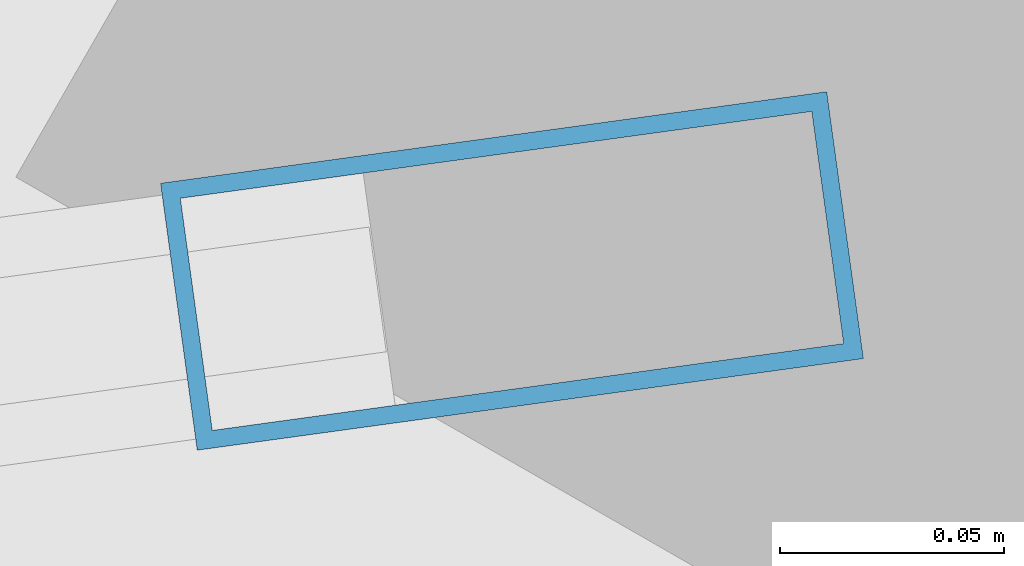
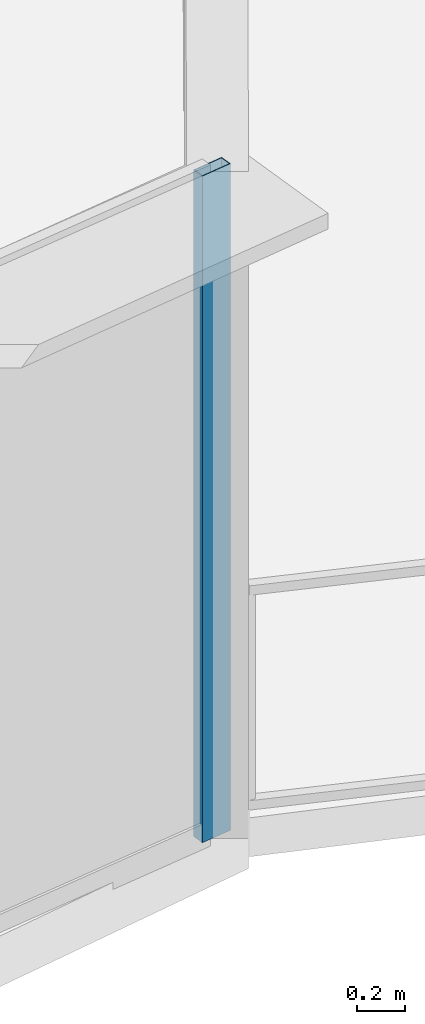
# One storey, part 22 of 39: 1 member, 1 element without a shape of its own.
"""IFC4 building model written with IfcOpenShell, lengths in metres."""

from ifc_helpers import new_model, si_unit, direction, frame, origin, origin_2d, place, context, subcontext, project, spatial, hollow_rectangle, extrude, source, transform, mapped, material, layer, layer_set, material_profile, profile_set, type_object, element, aggregate, save


model = new_model("IFC4")

# Units and contexts
model_context = context("Model", 3, precision=1e-05, world=origin(), true_north=direction((0.0, 1.0)))
body_context = subcontext(model_context, "Body", "Model", "MODEL_VIEW")
ifc_project = project(units=[si_unit("LENGTHUNIT", "METRE"), si_unit("AREAUNIT", "SQUARE_METRE"), si_unit("VOLUMEUNIT", "CUBIC_METRE"), si_unit("PLANEANGLEUNIT", "RADIAN"), si_unit("MASSUNIT", "GRAM", prefix="KILO"), si_unit("THERMODYNAMICTEMPERATUREUNIT", "KELVIN"), si_unit("POWERUNIT", "WATT")], contexts=[model_context])

# Site, building, storey
site_placement = place(None, origin())
site = spatial("IfcSite", under=ifc_project, at=site_placement, CompositionType="ELEMENT")
building_placement = place(site_placement, origin())
building = spatial("IfcBuilding", under=site, at=building_placement, Name="Yunzhuo Pagoda Commons", CompositionType="ELEMENT")
storey_placement = place(building_placement, frame((0.0, 0.0, 144.550048828125)))
storey = spatial("IfcBuildingStorey", under=building, at=storey_placement, Name="L36", CompositionType="ELEMENT", Elevation=144.550048828125)

# Curtain wall, member
ifc_material = material(Name="Anodized aluminium 6063-T6", Category="aluminium")
ifc_layer = layer(ifc_material, 0.14990234375)
ifc_layer_set = layer_set([ifc_layer], Name="Anodized aluminium 6063-T6")
curtain_wall_type = type_object("IfcCurtainWallType", Name="CW-MID Mid-Zone Ribbon Curtain Wall", PredefinedType="NOTDEFINED", material=ifc_layer_set)
curtain_wall_placement = place(storey_placement, origin())
curtain_wall = element("IfcCurtainWall", 1, at=curtain_wall_placement, inside=storey, type_object=curtain_wall_type, Name="L36 curtain wall CW-L36-F1B5", PredefinedType="NOTDEFINED")
ifc_material_profile = material_profile(ifc_material, hollow_rectangle(XDim=0.06005859375, YDim=0.14990234375, WallThickness=0.00390625, at=origin_2d()), Name="Anodized aluminium 6063-T6")
ifc_profile_set = profile_set([ifc_material_profile], Name="Anodized aluminium 6063-T6")
member_type = type_object("IfcMemberType", Name="CW-MID-M Mullion RHS 150x60x4", PredefinedType="MULLION", material=ifc_profile_set)
shared_shape = source(origin(), body_context, "Body", "SweptSolid", [
    extrude(hollow_rectangle(XDim=0.06005859375, YDim=0.14990234375, WallThickness=0.00390625, at=origin_2d()), origin(), (0.0, 0.0, 1.0), 3.419921875),
])
member_placement = place(storey_placement, frame((83.485595703125, 16.39990234375, 0.0), z_axis=(0.0, 0.0, 1.0), x_axis=(-0.136220738131, 0.990678510165, 0.0)))
member = element("IfcMember", 2, at=member_placement, type_object=member_type, Name="CW mullion 2", PredefinedType="MULLION", context=body_context, shape_type="MappedRepresentation", body=[
    mapped(shared_shape, transform((0.0, 0.0, 0.0), scale=1.0)),
])
aggregate(curtain_wall, [member])

save(model, "model.ifc")
